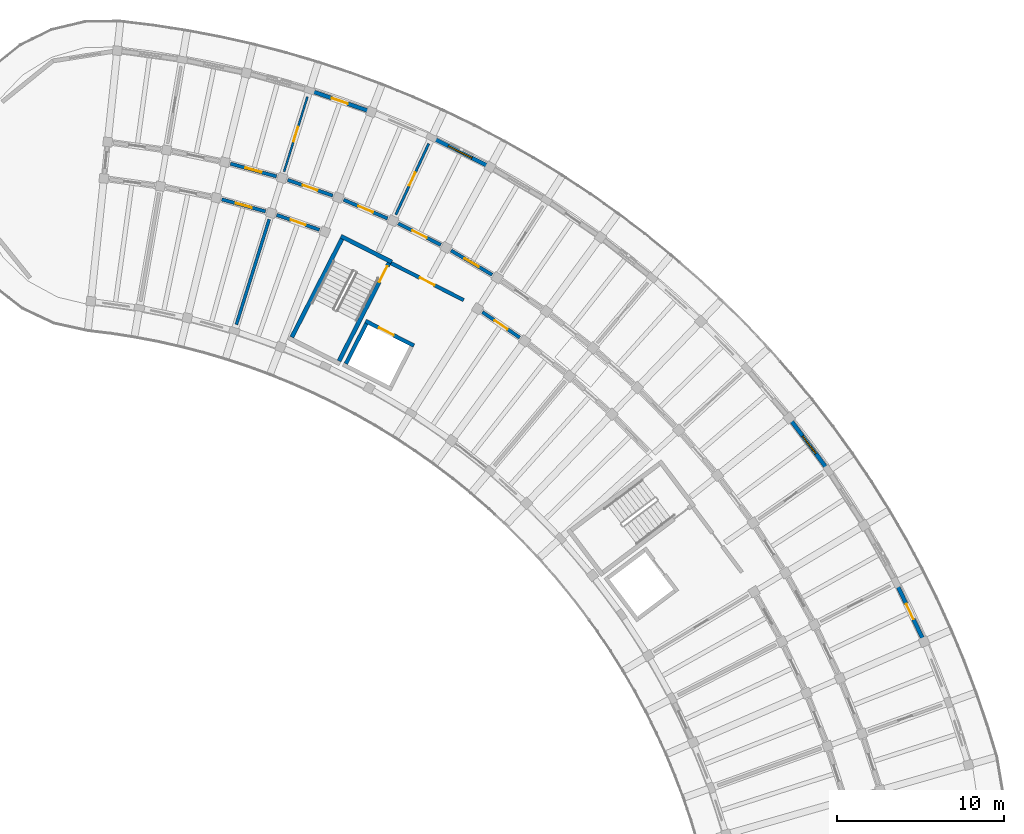
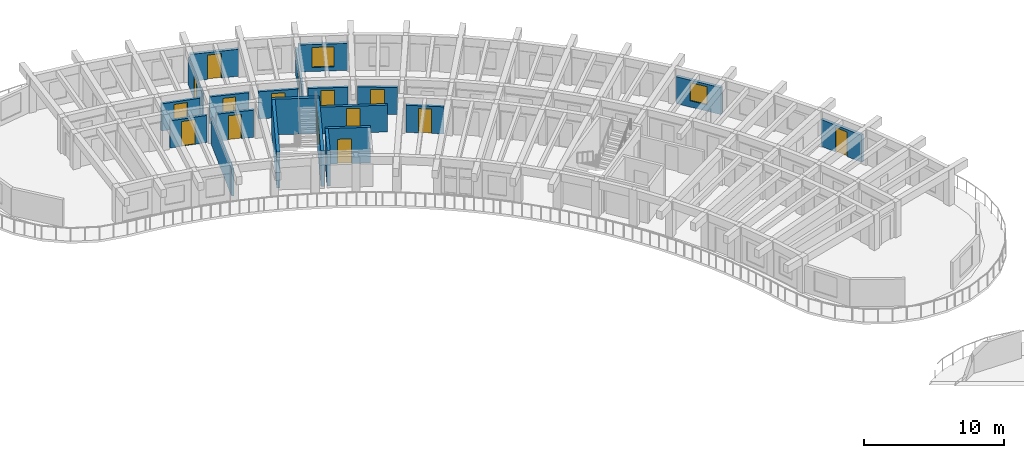
# One storey, part 45 of 69: 21 walls, 15 doors, 2 windows, 17 openings.
"""IFC4 building model written with IfcOpenShell, lengths in metres."""

from ifc_helpers import new_model, si_unit, direction, frame, frame_2d, origin, place, context, subcontext, project, spatial, rectangle, extrude, material, layer, layer_set, type_object, element, fill, save


model = new_model("IFC4")

# Units and contexts
model_context = context("Model", 3, precision=1e-05, world=origin(), true_north=direction((0.0, 1.0)))
body_context = subcontext(model_context, "Body", "Model", "MODEL_VIEW")
ifc_project = project(units=[si_unit("LENGTHUNIT", "METRE"), si_unit("AREAUNIT", "SQUARE_METRE"), si_unit("VOLUMEUNIT", "CUBIC_METRE"), si_unit("PLANEANGLEUNIT", "RADIAN"), si_unit("MASSUNIT", "GRAM", prefix="KILO")], contexts=[model_context])

# Site, building, storey
site_placement = place(None, origin())
site = spatial("IfcSite", under=ifc_project, at=site_placement, CompositionType="ELEMENT")
building_placement = place(site_placement, origin())
building = spatial("IfcBuilding", under=site, at=building_placement, Name="Tanwirah Colonnade Gardens", CompositionType="ELEMENT")
storey_placement = place(building_placement, frame((0.0, 0.0, 15.56005859375)))
storey = spatial("IfcBuildingStorey", under=building, at=storey_placement, Name="L04", CompositionType="ELEMENT", Elevation=15.56005859375)

# Wall, opening, door
ifc_material_1 = material(Name="Limestone architectural precast concrete C40/50", Category="masonry")
ifc_layer_1 = layer(ifc_material_1, 0.239990234375)
ifc_layer_set_1 = layer_set([ifc_layer_1], Name="Limestone architectural precast concrete C40/50")
wall_type_1 = type_object("IfcWallType", Name="EW-PC240", PredefinedType="SOLIDWALL", material=ifc_layer_set_1)
wall_1_placement = place(storey_placement, frame((175.482666015625, 84.2197265625, 0.0), z_axis=(0.0, 0.0, 1.0), x_axis=(-0.429653621352, 0.902993779413, 0.0)))
wall_1 = element("IfcWall", 1, at=wall_1_placement, inside=storey, type_object=wall_type_1, Name="Block B L04 OUT Precast Facade Wall 2", PredefinedType="SOLIDWALL", context=body_context, shape_type="SweptSolid", body=[
    extrude(rectangle(XDim=3.520751953125, YDim=0.239990234375, at=frame_2d((1.76025390625, 0.0))), origin(), (0.0, 0.0, 1.0), 2.35498046875),
])
opening_1_placement = place(wall_1_placement, frame((1.25048828125, 0.0, 0.0)))
opening_1 = element("IfcOpeningElement", 2, at=opening_1_placement, cuts=wall_1, Name="Opening L04-ED084", PredefinedType="OPENING", context=body_context, shape_type="SweptSolid", body=[
    extrude(rectangle(XDim=1.02001953125, YDim=2.139892578125, at=frame_2d((0.510009765625, 1.06982421875))), frame((0.0, 0.1298828125, 0.0), z_axis=(0.0, -1.0, 0.0), x_axis=(1.0, 0.0, 0.0)), (0.0, 0.0, 1.0), 0.260009765625),
])
ifc_material_2 = material(Name="Bronze aluminium glazed balcony door", Category="aluminium")
door_type_1 = type_object("IfcDoorType", Name="ED-BAL102", OperationType="NOTDEFINED", PredefinedType="DOOR", material=ifc_material_2)
door_1_placement = place(opening_1_placement, origin())
door_1 = element("IfcDoor", 3, at=door_1_placement, inside=storey, type_object=door_type_1, Name="Balcony glazed door L04-ED084", OperationType="SINGLE_SWING_LEFT", OverallHeight=2.139892578125, OverallWidth=1.02001953125, PredefinedType="DOOR", context=body_context, shape_type="SweptSolid", body=[
    extrude(rectangle(XDim=1.02001953125, YDim=2.139892578125, at=frame_2d((0.510009765625, 1.06982421875))), frame((0.0, 0.02490234375, 0.0), z_axis=(0.0, -1.0, 0.0), x_axis=(1.0, 0.0, 0.0)), (0.0, 0.0, 1.0), 0.050048828125),
])
fill(opening_1, door_1)

# Wall, opening, window
wall_2_placement = place(storey_placement, frame((169.7509765625, 94.389892578125, 0.0), z_axis=(0.0, 0.0, 1.0), x_axis=(-0.598701122926, 0.800972512267, 0.0)))
wall_2 = element("IfcWall", 4, at=wall_2_placement, inside=storey, type_object=wall_type_1, Name="Block B L04 OUT Precast Facade Wall 5", PredefinedType="SOLIDWALL", context=body_context, shape_type="SweptSolid", body=[
    extrude(rectangle(XDim=3.520751953125, YDim=0.239990234375, at=frame_2d((1.76025390625, 0.0))), origin(), (0.0, 0.0, 1.0), 2.35498046875),
])
opening_2_placement = place(wall_2_placement, frame((1.100341796875, 0.0, 0.550048828125)))
opening_2 = element("IfcOpeningElement", 5, at=opening_2_placement, cuts=wall_2, Name="Opening WIN-U05", PredefinedType="OPENING", context=body_context, shape_type="SweptSolid", body=[
    extrude(rectangle(XDim=1.320068359375, YDim=1.5849609375, at=frame_2d((0.66015625, 0.79248046875))), frame((0.0, 0.1298828125, 0.0), z_axis=(0.0, -1.0, 0.0), x_axis=(1.0, 0.0, 0.0)), (0.0, 0.0, 1.0), 0.260009765625),
])
ifc_material_3 = material(Name="Thermally broken bronze aluminium and solar low-E double glazing", Category="aluminium")
window_type_1 = type_object("IfcWindowType", Name="WIN-U05", PartitioningType="DOUBLE_PANEL_VERTICAL", PredefinedType="WINDOW", material=ifc_material_3)
window_1_placement = place(opening_2_placement, origin())
window_1 = element("IfcWindow", 6, at=window_1_placement, inside=storey, type_object=window_type_1, Name="Facade window B-L04-OUT-05", OverallHeight=1.5849609375, OverallWidth=1.320068359375, PartitioningType="SINGLE_PANEL", PredefinedType="WINDOW", context=body_context, shape_type="SweptSolid", body=[
    extrude(rectangle(XDim=1.320068359375, YDim=1.5849609375, at=frame_2d((0.66015625, 0.79248046875))), frame((0.0, 0.030029296875, 0.0), z_axis=(0.0, -1.0, 0.0), x_axis=(1.0, 0.0, 0.0)), (0.0, 0.0, 1.0), 0.06005859375),
])
fill(opening_2, window_1)

wall_3_placement = place(storey_placement, frame((149.34814453125, 112.56103515625, 0.0), z_axis=(0.0, 0.0, 1.0), x_axis=(-0.892756700232, 0.450539092855, 0.0)))
wall_3 = element("IfcWall", 7, at=wall_3_placement, inside=storey, type_object=wall_type_1, Name="Block B L04 OUT Precast Facade Wall 12", PredefinedType="SOLIDWALL", context=body_context, shape_type="SweptSolid", body=[
    extrude(rectangle(XDim=3.520751953125, YDim=0.239990234375, at=frame_2d((1.76025390625, 0.0))), origin(), (0.0, 0.0, 1.0), 2.35498046875),
])
opening_3_placement = place(wall_3_placement, frame((0.960205078125, 0.0, 0.35009765625)))
opening_3 = element("IfcOpeningElement", 8, at=opening_3_placement, cuts=wall_3, Name="Opening WIN-T10", PredefinedType="OPENING", context=body_context, shape_type="SweptSolid", body=[
    extrude(rectangle(XDim=1.60009765625, YDim=1.75, at=frame_2d((0.800048828125, 0.875))), frame((0.0, 0.1298828125, 0.0), z_axis=(0.0, -1.0, 0.0), x_axis=(1.0, 0.0, 0.0)), (0.0, 0.0, 1.0), 0.260009765625),
])
window_type_2 = type_object("IfcWindowType", Name="WIN-T10", PartitioningType="DOUBLE_PANEL_VERTICAL", PredefinedType="WINDOW", material=ifc_material_3)
window_2_placement = place(opening_3_placement, origin())
window_2 = element("IfcWindow", 9, at=window_2_placement, inside=storey, type_object=window_type_2, Name="Facade window B-L04-OUT-12", OverallHeight=1.75, OverallWidth=1.60009765625, PartitioningType="SINGLE_PANEL", PredefinedType="WINDOW", context=body_context, shape_type="SweptSolid", body=[
    extrude(rectangle(XDim=1.60009765625, YDim=1.75, at=frame_2d((0.800048828125, 0.875))), frame((0.0, 0.030029296875, 0.0), z_axis=(0.0, -1.0, 0.0), x_axis=(1.0, 0.0, 0.0)), (0.0, 0.0, 1.0), 0.06005859375),
])
fill(opening_3, window_2)

# Wall, opening, door
wall_4_placement = place(storey_placement, frame((142.21728515625, 115.833984375, 0.0), z_axis=(0.0, 0.0, 1.0), x_axis=(-0.944267366677, 0.329179495455, 0.0)))
wall_4 = element("IfcWall", 10, at=wall_4_placement, inside=storey, type_object=wall_type_1, Name="Block B L04 OUT Precast Facade Wall 14", PredefinedType="SOLIDWALL", context=body_context, shape_type="SweptSolid", body=[
    extrude(rectangle(XDim=3.520751953125, YDim=0.239990234375, at=frame_2d((1.76025390625, 0.0))), origin(), (0.0, 0.0, 1.0), 2.35498046875),
])
opening_4_placement = place(wall_4_placement, frame((1.25048828125, 0.0, 0.0)))
opening_4 = element("IfcOpeningElement", 11, at=opening_4_placement, cuts=wall_4, Name="Opening L04-ED088", PredefinedType="OPENING", context=body_context, shape_type="SweptSolid", body=[
    extrude(rectangle(XDim=1.02001953125, YDim=2.139892578125, at=frame_2d((0.510009765625, 1.06982421875))), frame((0.0, 0.1298828125, 0.0), z_axis=(0.0, -1.0, 0.0), x_axis=(1.0, 0.0, 0.0)), (0.0, 0.0, 1.0), 0.260009765625),
])
door_2_placement = place(opening_4_placement, origin())
door_2 = element("IfcDoor", 12, at=door_2_placement, inside=storey, type_object=door_type_1, Name="Balcony glazed door L04-ED088", OperationType="SINGLE_SWING_LEFT", OverallHeight=2.139892578125, OverallWidth=1.02001953125, PredefinedType="DOOR", context=body_context, shape_type="SweptSolid", body=[
    extrude(rectangle(XDim=1.02001953125, YDim=2.139892578125, at=frame_2d((0.510009765625, 1.06982421875))), frame((0.0, 0.02490234375, 0.0), z_axis=(0.0, -1.0, 0.0), x_axis=(1.0, 0.0, 0.0)), (0.0, 0.0, 1.0), 0.050048828125),
])
fill(opening_4, door_2)

ifc_material_4 = material(Name="Precast concrete C40/50", Category="concrete")
ifc_layer_2 = layer(ifc_material_4, 0.205078125)
ifc_layer_set_2 = layer_set([ifc_layer_2], Name="Precast concrete C40/50")
wall_type_2 = type_object("IfcWallType", Name="IW-CORR205", PredefinedType="PARTITIONING", material=ifc_layer_set_2)
wall_5_placement = place(storey_placement, frame((151.35009765625, 102.226318359375, 0.0), z_axis=(0.0, 0.0, 1.0), x_axis=(-0.825752009056, 0.56403334967, 0.0)))
wall_5 = element("IfcWall", 13, at=wall_5_placement, inside=storey, type_object=wall_type_2, Name="Block B L04 IN Corridor Wall 10", PredefinedType="PARTITIONING", context=body_context, shape_type="SweptSolid", body=[
    extrude(rectangle(XDim=2.71826171875, YDim=0.205078125, at=frame_2d((1.359130859375, 0.0))), origin(), (0.0, 0.0, 1.0), 2.369873046875),
])
opening_5_placement = place(wall_5_placement, frame((0.89404296875, 0.0, 0.0)))
opening_5 = element("IfcOpeningElement", 14, at=opening_5_placement, cuts=wall_5, Name="Opening L04-AD984", PredefinedType="OPENING", context=body_context, shape_type="SweptSolid", body=[
    extrude(rectangle(XDim=0.929931640625, YDim=2.1201171875, at=frame_2d((0.46484375, 1.06005859375))), frame((0.0, 0.112548828125, 0.0), z_axis=(0.0, -1.0, 0.0), x_axis=(1.0, 0.0, 0.0)), (0.0, 0.0, 1.0), 0.22509765625),
])
ifc_material_5 = material(Name="Solid oak fire-resisting apartment entrance door")
door_type_2 = type_object("IfcDoorType", Name="ID-FLT093", OperationType="NOTDEFINED", PredefinedType="DOOR", material=ifc_material_5)
door_3_placement = place(opening_5_placement, origin())
door_3 = element("IfcDoor", 15, at=door_3_placement, inside=storey, type_object=door_type_2, Name="Apartment corridor door L04-AD984", OperationType="SINGLE_SWING_RIGHT", OverallHeight=2.1201171875, OverallWidth=0.929931640625, PredefinedType="DOOR", context=body_context, shape_type="SweptSolid", body=[
    extrude(rectangle(XDim=0.929931640625, YDim=2.1201171875, at=frame_2d((0.46484375, 1.06005859375))), frame((0.0, 0.02490234375, 0.0), z_axis=(0.0, -1.0, 0.0), x_axis=(1.0, 0.0, 0.0)), (0.0, 0.0, 1.0), 0.050048828125),
])
fill(opening_5, door_3)

wall_6_placement = place(storey_placement, frame((149.6953125, 105.991455078125, 0.0), z_axis=(0.0, 0.0, 1.0), x_axis=(-0.861113214678, 0.508413248753, 0.0)))
wall_6 = element("IfcWall", 16, at=wall_6_placement, inside=storey, type_object=wall_type_2, Name="Block B L04 OUT Corridor Wall 11", PredefinedType="PARTITIONING", context=body_context, shape_type="SweptSolid", body=[
    extrude(rectangle(XDim=2.863037109375, YDim=0.205078125, at=frame_2d((1.431640625, 0.0))), origin(), (0.0, 0.0, 1.0), 2.369873046875),
])
opening_6_placement = place(wall_6_placement, frame((0.9365234375, 0.0, 0.0)))
opening_6 = element("IfcOpeningElement", 17, at=opening_6_placement, cuts=wall_6, Name="Opening L04-AD986", PredefinedType="OPENING", context=body_context, shape_type="SweptSolid", body=[
    extrude(rectangle(XDim=0.989990234375, YDim=2.159912109375, at=frame_2d((0.4951171875, 1.080078125))), frame((0.0, 0.112548828125, 0.0), z_axis=(0.0, -1.0, 0.0), x_axis=(1.0, 0.0, 0.0)), (0.0, 0.0, 1.0), 0.22509765625),
])
door_type_3 = type_object("IfcDoorType", Name="ID-FLT099", OperationType="NOTDEFINED", PredefinedType="DOOR", material=ifc_material_5)
door_4_placement = place(opening_6_placement, origin())
door_4 = element("IfcDoor", 18, at=door_4_placement, inside=storey, type_object=door_type_3, Name="Apartment corridor door L04-AD986", OperationType="SINGLE_SWING_RIGHT", OverallHeight=2.159912109375, OverallWidth=0.989990234375, PredefinedType="DOOR", context=body_context, shape_type="SweptSolid", body=[
    extrude(rectangle(XDim=0.989990234375, YDim=2.159912109375, at=frame_2d((0.4951171875, 1.080078125))), frame((0.0, 0.02490234375, 0.0), z_axis=(0.0, -1.0, 0.0), x_axis=(1.0, 0.0, 0.0)), (0.0, 0.0, 1.0), 0.050048828125),
])
fill(opening_6, door_4)

wall_7_placement = place(storey_placement, frame((146.615966796875, 107.782470703125, 0.0), z_axis=(0.0, 0.0, 1.0), x_axis=(-0.89273239336, 0.450587254419, 0.0)))
wall_7 = element("IfcWall", 19, at=wall_7_placement, inside=storey, type_object=wall_type_2, Name="Block B L04 OUT Corridor Wall 12", PredefinedType="PARTITIONING", context=body_context, shape_type="SweptSolid", body=[
    extrude(rectangle(XDim=2.863037109375, YDim=0.205078125, at=frame_2d((1.431640625, 0.0))), origin(), (0.0, 0.0, 1.0), 2.369873046875),
])
opening_7_placement = place(wall_7_placement, frame((0.946533203125, 0.0, 0.0)))
opening_7 = element("IfcOpeningElement", 20, at=opening_7_placement, cuts=wall_7, Name="Opening L04-AD987", PredefinedType="OPENING", context=body_context, shape_type="SweptSolid", body=[
    extrude(rectangle(XDim=0.969970703125, YDim=2.14990234375, at=frame_2d((0.48486328125, 1.074951171875))), frame((0.0, 0.112548828125, 0.0), z_axis=(0.0, -1.0, 0.0), x_axis=(1.0, 0.0, 0.0)), (0.0, 0.0, 1.0), 0.22509765625),
])
door_type_4 = type_object("IfcDoorType", Name="ID-FLT097", OperationType="NOTDEFINED", PredefinedType="DOOR", material=ifc_material_5)
door_5_placement = place(opening_7_placement, origin())
door_5 = element("IfcDoor", 21, at=door_5_placement, inside=storey, type_object=door_type_4, Name="Apartment corridor door L04-AD987", OperationType="SINGLE_SWING_LEFT", OverallHeight=2.14990234375, OverallWidth=0.969970703125, PredefinedType="DOOR", context=body_context, shape_type="SweptSolid", body=[
    extrude(rectangle(XDim=0.969970703125, YDim=2.14990234375, at=frame_2d((0.48486328125, 1.074951171875))), frame((0.0, 0.02490234375, 0.0), z_axis=(0.0, -1.0, 0.0), x_axis=(1.0, 0.0, 0.0)), (0.0, 0.0, 1.0), 0.050048828125),
])
fill(opening_7, door_5)

wall_8_placement = place(storey_placement, frame((143.42529296875, 109.366943359375, 0.0), z_axis=(0.0, 0.0, 1.0), x_axis=(-0.920511160294, 0.390716270168, 0.0)))
wall_8 = element("IfcWall", 22, at=wall_8_placement, inside=storey, type_object=wall_type_2, Name="Block B L04 OUT Corridor Wall 13", PredefinedType="PARTITIONING", context=body_context, shape_type="SweptSolid", body=[
    extrude(rectangle(XDim=2.863037109375, YDim=0.205078125, at=frame_2d((1.431640625, 0.0))), origin(), (0.0, 0.0, 1.0), 2.369873046875),
])
opening_8_placement = place(wall_8_placement, frame((0.95654296875, 0.0, 0.0)))
opening_8 = element("IfcOpeningElement", 23, at=opening_8_placement, cuts=wall_8, Name="Opening L04-AD989", PredefinedType="OPENING", context=body_context, shape_type="SweptSolid", body=[
    extrude(rectangle(XDim=0.949951171875, YDim=2.1298828125, at=frame_2d((0.47509765625, 1.06494140625))), frame((0.0, 0.112548828125, 0.0), z_axis=(0.0, -1.0, 0.0), x_axis=(1.0, 0.0, 0.0)), (0.0, 0.0, 1.0), 0.22509765625),
])
door_type_5 = type_object("IfcDoorType", Name="ID-FLT095", OperationType="NOTDEFINED", PredefinedType="DOOR", material=ifc_material_5)
door_6_placement = place(opening_8_placement, origin())
door_6 = element("IfcDoor", 24, at=door_6_placement, inside=storey, type_object=door_type_5, Name="Apartment corridor door L04-AD989", OperationType="SINGLE_SWING_RIGHT", OverallHeight=2.1298828125, OverallWidth=0.949951171875, PredefinedType="DOOR", context=body_context, shape_type="SweptSolid", body=[
    extrude(rectangle(XDim=0.949951171875, YDim=2.1298828125, at=frame_2d((0.47509765625, 1.06494140625))), frame((0.0, 0.02490234375, 0.0), z_axis=(0.0, -1.0, 0.0), x_axis=(1.0, 0.0, 0.0)), (0.0, 0.0, 1.0), 0.050048828125),
])
fill(opening_8, door_6)

wall_9_placement = place(storey_placement, frame((140.13720703125, 110.737548828125, 0.0), z_axis=(0.0, 0.0, 1.0), x_axis=(-0.944253820929, 0.329218349522, 0.0)))
wall_9 = element("IfcWall", 25, at=wall_9_placement, inside=storey, type_object=wall_type_2, Name="Block B L04 OUT Corridor Wall 14", PredefinedType="PARTITIONING", context=body_context, shape_type="SweptSolid", body=[
    extrude(rectangle(XDim=2.86328125, YDim=0.205078125, at=frame_2d((1.431640625, 0.0))), origin(), (0.0, 0.0, 1.0), 2.369873046875),
])
opening_9_placement = place(wall_9_placement, frame((0.966552734375, 0.0, 0.0)))
opening_9 = element("IfcOpeningElement", 26, at=opening_9_placement, cuts=wall_9, Name="Opening L04-AD990", PredefinedType="OPENING", context=body_context, shape_type="SweptSolid", body=[
    extrude(rectangle(XDim=0.929931640625, YDim=2.1201171875, at=frame_2d((0.46484375, 1.06005859375))), frame((0.0, 0.112548828125, 0.0), z_axis=(0.0, -1.0, 0.0), x_axis=(1.0, 0.0, 0.0)), (0.0, 0.0, 1.0), 0.22509765625),
])
door_7_placement = place(opening_9_placement, origin())
door_7 = element("IfcDoor", 27, at=door_7_placement, inside=storey, type_object=door_type_2, Name="Apartment corridor door L04-AD990", OperationType="SINGLE_SWING_LEFT", OverallHeight=2.1201171875, OverallWidth=0.929931640625, PredefinedType="DOOR", context=body_context, shape_type="SweptSolid", body=[
    extrude(rectangle(XDim=0.929931640625, YDim=2.1201171875, at=frame_2d((0.46484375, 1.06005859375))), frame((0.0, 0.02490234375, 0.0), z_axis=(0.0, -1.0, 0.0), x_axis=(1.0, 0.0, 0.0)), (0.0, 0.0, 1.0), 0.050048828125),
])
fill(opening_9, door_7)

wall_10_placement = place(storey_placement, frame((139.3447265625, 108.685302734375, 0.0), z_axis=(0.0, 0.0, 1.0), x_axis=(-0.944265123647, 0.329185929627, 0.0)))
wall_10 = element("IfcWall", 28, at=wall_10_placement, inside=storey, type_object=wall_type_2, Name="Block B L04 IN Corridor Wall 14", PredefinedType="PARTITIONING", context=body_context, shape_type="SweptSolid", body=[
    extrude(rectangle(XDim=2.71826171875, YDim=0.205078125, at=frame_2d((1.359130859375, 0.0))), origin(), (0.0, 0.0, 1.0), 2.369873046875),
])
opening_10_placement = place(wall_10_placement, frame((0.89404296875, 0.0, 0.0)))
opening_10 = element("IfcOpeningElement", 29, at=opening_10_placement, cuts=wall_10, Name="Opening L04-AD991", PredefinedType="OPENING", context=body_context, shape_type="SweptSolid", body=[
    extrude(rectangle(XDim=0.929931640625, YDim=2.1201171875, at=frame_2d((0.46484375, 1.06005859375))), frame((0.0, 0.112548828125, 0.0), z_axis=(0.0, -1.0, 0.0), x_axis=(1.0, 0.0, 0.0)), (0.0, 0.0, 1.0), 0.22509765625),
])
door_8_placement = place(opening_10_placement, origin())
door_8 = element("IfcDoor", 30, at=door_8_placement, inside=storey, type_object=door_type_2, Name="Apartment corridor door L04-AD991", OperationType="SINGLE_SWING_RIGHT", OverallHeight=2.1201171875, OverallWidth=0.929931640625, PredefinedType="DOOR", context=body_context, shape_type="SweptSolid", body=[
    extrude(rectangle(XDim=0.929931640625, YDim=2.1201171875, at=frame_2d((0.46484375, 1.06005859375))), frame((0.0, 0.02490234375, 0.0), z_axis=(0.0, -1.0, 0.0), x_axis=(1.0, 0.0, 0.0)), (0.0, 0.0, 1.0), 0.050048828125),
])
fill(opening_10, door_8)

wall_11_placement = place(storey_placement, frame((136.765869140625, 111.888671875, 0.0), z_axis=(0.0, 0.0, 1.0), x_axis=(-0.963890789093, 0.266297853356, 0.0)))
wall_11 = element("IfcWall", 31, at=wall_11_placement, inside=storey, type_object=wall_type_2, Name="Block B L04 OUT Corridor Wall 15", PredefinedType="PARTITIONING", context=body_context, shape_type="SweptSolid", body=[
    extrude(rectangle(XDim=2.863037109375, YDim=0.205078125, at=frame_2d((1.431640625, 0.0))), origin(), (0.0, 0.0, 1.0), 2.369873046875),
])
opening_11_placement = place(wall_11_placement, frame((0.9365234375, 0.0, 0.0)))
opening_11 = element("IfcOpeningElement", 32, at=opening_11_placement, cuts=wall_11, Name="Opening L04-AD993", PredefinedType="OPENING", context=body_context, shape_type="SweptSolid", body=[
    extrude(rectangle(XDim=0.989990234375, YDim=2.159912109375, at=frame_2d((0.4951171875, 1.080078125))), frame((0.0, 0.112548828125, 0.0), z_axis=(0.0, -1.0, 0.0), x_axis=(1.0, 0.0, 0.0)), (0.0, 0.0, 1.0), 0.22509765625),
])
door_9_placement = place(opening_11_placement, origin())
door_9 = element("IfcDoor", 33, at=door_9_placement, inside=storey, type_object=door_type_3, Name="Apartment corridor door L04-AD993", OperationType="SINGLE_SWING_RIGHT", OverallHeight=2.159912109375, OverallWidth=0.989990234375, PredefinedType="DOOR", context=body_context, shape_type="SweptSolid", body=[
    extrude(rectangle(XDim=0.989990234375, YDim=2.159912109375, at=frame_2d((0.4951171875, 1.080078125))), frame((0.0, 0.02490234375, 0.0), z_axis=(0.0, -1.0, 0.0), x_axis=(1.0, 0.0, 0.0)), (0.0, 0.0, 1.0), 0.050048828125),
])
fill(opening_11, door_9)

wall_12_placement = place(storey_placement, frame((136.1103515625, 109.78857421875, 0.0), z_axis=(0.0, 0.0, 1.0), x_axis=(-0.96388375821, 0.266323301006, 0.0)))
wall_12 = element("IfcWall", 34, at=wall_12_placement, inside=storey, type_object=wall_type_2, Name="Block B L04 IN Corridor Wall 15", PredefinedType="PARTITIONING", context=body_context, shape_type="SweptSolid", body=[
    extrude(rectangle(XDim=2.718017578125, YDim=0.205078125, at=frame_2d((1.35888671875, 0.0))), origin(), (0.0, 0.0, 1.0), 2.369873046875),
])
opening_12_placement = place(wall_12_placement, frame((0.864013671875, 0.0, 0.0)))
opening_12 = element("IfcOpeningElement", 35, at=opening_12_placement, cuts=wall_12, Name="Opening L04-AD994", PredefinedType="OPENING", context=body_context, shape_type="SweptSolid", body=[
    extrude(rectangle(XDim=0.989990234375, YDim=2.159912109375, at=frame_2d((0.4951171875, 1.080078125))), frame((0.0, 0.112548828125, 0.0), z_axis=(0.0, -1.0, 0.0), x_axis=(1.0, 0.0, 0.0)), (0.0, 0.0, 1.0), 0.22509765625),
])
door_10_placement = place(opening_12_placement, origin())
door_10 = element("IfcDoor", 36, at=door_10_placement, inside=storey, type_object=door_type_3, Name="Apartment corridor door L04-AD994", OperationType="SINGLE_SWING_LEFT", OverallHeight=2.159912109375, OverallWidth=0.989990234375, PredefinedType="DOOR", context=body_context, shape_type="SweptSolid", body=[
    extrude(rectangle(XDim=0.989990234375, YDim=2.159912109375, at=frame_2d((0.4951171875, 1.080078125))), frame((0.0, 0.02490234375, 0.0), z_axis=(0.0, -1.0, 0.0), x_axis=(1.0, 0.0, 0.0)), (0.0, 0.0, 1.0), 0.050048828125),
])
fill(opening_12, door_10)

# Wall
ifc_layer_3 = layer(ifc_material_4, 0.18505859375)
ifc_layer_set_3 = layer_set([ifc_layer_3], Name="Precast concrete C40/50")
wall_type_3 = type_object("IfcWallType", Name="IW-DEM185", PredefinedType="PARTITIONING", material=ifc_layer_set_3)
wall_13_placement = place(storey_placement, frame((134.362060546875, 103.01318359375, 0.0), z_axis=(0.0, 0.0, 1.0), x_axis=(0.2979590431, 0.954578655028, 0.0)))
element("IfcWall", 37, at=wall_13_placement, inside=storey, type_object=wall_type_3, Name="Block B L04 Inner Radial Partition 14", PredefinedType="PARTITIONING", context=body_context, shape_type="SweptSolid", body=[
    extrude(rectangle(XDim=6.60009765625, YDim=0.18505859375, at=frame_2d((3.300048828125, 0.0))), origin(), (0.0, 0.0, 1.0), 2.369873046875),
])

# Wall, opening, door
ifc_material_6 = material(Name="Autoclaved aerated masonry blockwork", Category="masonry")
ifc_layer_4 = layer(ifc_material_6, 0.219970703125)
ifc_layer_set_4 = layer_set([ifc_layer_4], Name="Autoclaved aerated masonry blockwork")
wall_type_4 = type_object("IfcWallType", Name="IW-FFL220", PredefinedType="PARTITIONING", material=ifc_layer_set_4)
wall_14_placement = place(storey_placement, frame((143.624755859375, 106.6962890625, 0.0), z_axis=(0.0, 0.0, 1.0), x_axis=(0.891003372311, -0.453996685595, 0.0)))
wall_14 = element("IfcWall", 38, at=wall_14_placement, inside=storey, type_object=wall_type_4, Name="CORE-B2 L04 Enclosed Lobby Fire Wall", PredefinedType="PARTITIONING", context=body_context, shape_type="SweptSolid", body=[
    extrude(rectangle(XDim=4.900146484375, YDim=0.219970703125, at=frame_2d((2.4501953125, 0.0))), origin(), (0.0, 0.0, 1.0), 2.33984375),
])
opening_13_placement = place(wall_14_placement, frame((1.949951171875, 0.0, 0.0)))
opening_13 = element("IfcOpeningElement", 39, at=opening_13_placement, cuts=wall_14, Name="Opening L04-LD112", PredefinedType="OPENING", context=body_context, shape_type="SweptSolid", body=[
    extrude(rectangle(XDim=0.97998046875, YDim=2.139892578125, at=frame_2d((0.489990234375, 1.06982421875))), frame((0.0, 0.119873046875, 0.0), z_axis=(0.0, -1.0, 0.0), x_axis=(1.0, 0.0, 0.0)), (0.0, 0.0, 1.0), 0.239990234375),
])
ifc_material_7 = material(Name="Acoustic fire-resisting lobby door")
door_type_6 = type_object("IfcDoorType", Name="ID-FFL098", OperationType="NOTDEFINED", PredefinedType="DOOR", material=ifc_material_7)
door_11_placement = place(opening_13_placement, origin())
door_11 = element("IfcDoor", 40, at=door_11_placement, inside=storey, type_object=door_type_6, Name="CORE-B2 L04 Lobby Fire Door L04-LD112", OperationType="SINGLE_SWING_LEFT", OverallHeight=2.139892578125, OverallWidth=0.97998046875, PredefinedType="DOOR", context=body_context, shape_type="SweptSolid", body=[
    extrude(rectangle(XDim=0.97998046875, YDim=2.139892578125, at=frame_2d((0.489990234375, 1.06982421875))), frame((0.0, 0.02490234375, 0.0), z_axis=(0.0, -1.0, 0.0), x_axis=(1.0, 0.0, 0.0)), (0.0, 0.0, 1.0), 0.050048828125),
])
fill(opening_13, door_11)

ifc_material_8 = material(Name="Moisture-resistant gypsum stud partition")
ifc_layer_5 = layer(ifc_material_8, 0.125)
ifc_layer_set_5 = layer_set([ifc_layer_5], Name="Moisture-resistant gypsum stud partition")
wall_type_5 = type_object("IfcWallType", Name="IW-INT125", PredefinedType="PARTITIONING", material=ifc_layer_set_5)
wall_15_placement = place(storey_placement, frame((137.222412109375, 112.17724609375, 0.0), z_axis=(0.0, 0.0, 1.0), x_axis=(0.297905254614, 0.954595442726, 0.0)))
wall_15 = element("IfcWall", 41, at=wall_15_placement, inside=storey, type_object=wall_type_5, Name="Block B L04 Radial Partition 14", PredefinedType="PARTITIONING", context=body_context, shape_type="SweptSolid", body=[
    extrude(rectangle(XDim=4.699951171875, YDim=0.125, at=frame_2d((2.35009765625, 0.0))), origin(), (0.0, 0.0, 1.0), 2.369873046875),
])
opening_14_placement = place(wall_15_placement, frame((1.89501953125, 0.0, 0.0)))
opening_14 = element("IfcOpeningElement", 42, at=opening_14_placement, cuts=wall_15, Name="Opening L04-RD992", PredefinedType="OPENING", context=body_context, shape_type="SweptSolid", body=[
    extrude(rectangle(XDim=0.909912109375, YDim=2.10009765625, at=frame_2d((0.455078125, 1.050048828125))), frame((0.0, 0.072509765625, 0.0), z_axis=(0.0, -1.0, 0.0), x_axis=(1.0, 0.0, 0.0)), (0.0, 0.0, 1.0), 0.14501953125),
])
ifc_material_9 = material(Name="Painted hardwood internal room door", Category="wood")
door_type_7 = type_object("IfcDoorType", Name="ID-RM091", OperationType="NOTDEFINED", PredefinedType="DOOR", material=ifc_material_9)
door_12_placement = place(opening_14_placement, origin())
door_12 = element("IfcDoor", 43, at=door_12_placement, inside=storey, type_object=door_type_7, Name="Internal apartment door L04-RD992", OperationType="SINGLE_SWING_LEFT", OverallHeight=2.10009765625, OverallWidth=0.909912109375, PredefinedType="DOOR", context=body_context, shape_type="SweptSolid", body=[
    extrude(rectangle(XDim=0.909912109375, YDim=2.10009765625, at=frame_2d((0.455078125, 1.050048828125))), frame((0.0, 0.02490234375, 0.0), z_axis=(0.0, -1.0, 0.0), x_axis=(1.0, 0.0, 0.0)), (0.0, 0.0, 1.0), 0.050048828125),
])
fill(opening_14, door_12)

ifc_material_10 = material(Name="Water-resistant acoustic plumbing partition")
ifc_layer_6 = layer(ifc_material_10, 0.14990234375)
ifc_layer_set_6 = layer_set([ifc_layer_6], Name="Water-resistant acoustic plumbing partition")
wall_type_6 = type_object("IfcWallType", Name="IW-WET150", PredefinedType="PLUMBINGWALL", material=ifc_layer_set_6)
wall_16_placement = place(storey_placement, frame((143.915771484375, 109.593017578125, 0.0), z_axis=(0.0, 0.0, 1.0), x_axis=(0.420862519045, 0.907124434718, 0.0)))
wall_16 = element("IfcWall", 44, at=wall_16_placement, inside=storey, type_object=wall_type_6, Name="Block B L04 Radial Partition 12", PredefinedType="PLUMBINGWALL", context=body_context, shape_type="SweptSolid", body=[
    extrude(rectangle(XDim=4.699951171875, YDim=0.14990234375, at=frame_2d((2.35009765625, 0.0))), origin(), (0.0, 0.0, 1.0), 2.369873046875),
])
opening_15_placement = place(wall_16_placement, frame((1.919921875, 0.0, 0.0)))
opening_15 = element("IfcOpeningElement", 45, at=opening_15_placement, cuts=wall_16, Name="Opening L04-RD988", PredefinedType="OPENING", context=body_context, shape_type="SweptSolid", body=[
    extrude(rectangle(XDim=0.860107421875, YDim=2.06005859375, at=frame_2d((0.43017578125, 1.030029296875))), frame((0.0, 0.0849609375, 0.0), z_axis=(0.0, -1.0, 0.0), x_axis=(1.0, 0.0, 0.0)), (0.0, 0.0, 1.0), 0.169921875),
])
ifc_material_11 = material(Name="Moisture-resistant bathroom door")
door_type_8 = type_object("IfcDoorType", Name="ID-WET086", OperationType="NOTDEFINED", PredefinedType="DOOR", material=ifc_material_11)
door_13_placement = place(opening_15_placement, origin())
door_13 = element("IfcDoor", 46, at=door_13_placement, inside=storey, type_object=door_type_8, Name="Internal apartment door L04-RD988", OperationType="SINGLE_SWING_LEFT", OverallHeight=2.06005859375, OverallWidth=0.860107421875, PredefinedType="DOOR", context=body_context, shape_type="SweptSolid", body=[
    extrude(rectangle(XDim=0.860107421875, YDim=2.06005859375, at=frame_2d((0.43017578125, 1.030029296875))), frame((0.0, 0.02490234375, 0.0), z_axis=(0.0, -1.0, 0.0), x_axis=(1.0, 0.0, 0.0)), (0.0, 0.0, 1.0), 0.050048828125),
])
fill(opening_15, door_13)

# Walls
ifc_material_12 = material(Name="Concrete C45/55", Category="concrete")
ifc_layer_7 = layer(ifc_material_12, 0.25)
ifc_layer_set_7 = layer_set([ifc_layer_7], Name="Concrete C45/55")
wall_type_7 = type_object("IfcWallType", Name="SW-CORE250", PredefinedType="SHEAR", material=ifc_layer_set_7)
wall_17_placement = place(storey_placement, frame((140.68408203125, 108.138671875, 0.0), z_axis=(0.0, 0.0, 1.0), x_axis=(-0.453992276384, -0.891005618941, 0.0)))
element("IfcWall", 47, at=wall_17_placement, inside=storey, type_object=wall_type_7, Name="CORE-B2 L04 Stair Shaft Shear Wall LEFT", PredefinedType="SHEAR", context=body_context, shape_type="SweptSolid", body=[
    extrude(rectangle(XDim=6.599853515625, YDim=0.25, at=frame_2d((3.2998046875, 0.0))), origin(), (0.0, 0.0, 1.0), 3.10986328125),
])
wall_18_placement = place(storey_placement, frame((140.62939453125, 108.306640625, 0.0), z_axis=(0.0, 0.0, 1.0), x_axis=(0.891032414707, -0.453939683153, 0.0)))
element("IfcWall", 48, at=wall_18_placement, inside=storey, type_object=wall_type_7, Name="CORE-B2 L04 Stair Shaft Shear Wall NEAR", PredefinedType="SHEAR", context=body_context, shape_type="SweptSolid", body=[
    extrude(rectangle(XDim=3.419921875, YDim=0.25, at=frame_2d((1.7099609375, 0.0))), origin(), (0.0, 0.0, 1.0), 3.10986328125),
])

# Wall, opening, door
wall_19_placement = place(storey_placement, frame((143.508544921875, 106.699462890625, 0.0), z_axis=(0.0, 0.0, 1.0), x_axis=(-0.453992276384, -0.891005618941, 0.0)))
wall_19 = element("IfcWall", 49, at=wall_19_placement, inside=storey, type_object=wall_type_7, Name="CORE-B2 L04 Stair Shaft Shear Wall RIGHT", PredefinedType="SHEAR", context=body_context, shape_type="SweptSolid", body=[
    extrude(rectangle(XDim=6.599853515625, YDim=0.25, at=frame_2d((3.2998046875, 0.0))), origin(), (0.0, 0.0, 1.0), 3.10986328125),
])
opening_16_placement = place(wall_19_placement, frame((0.219970703125, 0.0, 0.0)))
opening_16 = element("IfcOpeningElement", 50, at=opening_16_placement, cuts=wall_19, Name="Opening L04-SD098", PredefinedType="OPENING", context=body_context, shape_type="SweptSolid", body=[
    extrude(rectangle(XDim=1.050048828125, YDim=2.14990234375, at=frame_2d((0.52490234375, 1.074951171875))), frame((0.0, 0.135009765625, 0.0), z_axis=(0.0, -1.0, 0.0), x_axis=(1.0, 0.0, 0.0)), (0.0, 0.0, 1.0), 0.27001953125),
])
ifc_material_13 = material(Name="Steel fire-resisting stair enclosure door", Category="steel")
door_type_9 = type_object("IfcDoorType", Name="ID-ST105", OperationType="NOTDEFINED", PredefinedType="DOOR", material=ifc_material_13)
door_14_placement = place(opening_16_placement, origin())
door_14 = element("IfcDoor", 51, at=door_14_placement, inside=storey, type_object=door_type_9, Name="CORE-B2 L04 Stair Fire Door L04-SD098", OperationType="SINGLE_SWING_LEFT", OverallHeight=2.14990234375, OverallWidth=1.050048828125, PredefinedType="DOOR", context=body_context, shape_type="SweptSolid", body=[
    extrude(rectangle(XDim=1.050048828125, YDim=2.14990234375, at=frame_2d((0.52490234375, 1.074951171875))), frame((0.0, 0.02490234375, 0.0), z_axis=(0.0, -1.0, 0.0), x_axis=(1.0, 0.0, 0.0)), (0.0, 0.0, 1.0), 0.050048828125),
])
fill(opening_16, door_14)

ifc_layer_8 = layer(ifc_material_12, 0.22998046875)
ifc_layer_set_8 = layer_set([ifc_layer_8], Name="Concrete C45/55")
wall_type_8 = type_object("IfcWallType", Name="SW-LIFT230", PredefinedType="SHEAR", material=ifc_layer_set_8)
wall_20_placement = place(storey_placement, frame((142.1025390625, 103.223876953125, 0.0), z_axis=(0.0, 0.0, 1.0), x_axis=(0.891001200497, -0.454000947921, 0.0)))
wall_20 = element("IfcWall", 52, at=wall_20_placement, inside=storey, type_object=wall_type_8, Name="CORE-B2 L04 Lift Shaft Wall FRONT", PredefinedType="SHEAR", context=body_context, shape_type="SweptSolid", body=[
    extrude(rectangle(XDim=3.259765625, YDim=0.22998046875, at=frame_2d((1.6298828125, 0.0))), origin(), (0.0, 0.0, 1.0), 3.10986328125),
])
opening_17_placement = place(wall_20_placement, frame((0.89990234375, 0.0, 0.0)))
opening_17 = element("IfcOpeningElement", 53, at=opening_17_placement, cuts=wall_20, Name="Opening L04-LD-PL-B2", PredefinedType="OPENING", context=body_context, shape_type="SweptSolid", body=[
    extrude(rectangle(XDim=1.0, YDim=2.14990234375, at=frame_2d((0.5, 1.074951171875))), frame((0.0, 0.125, 0.0), z_axis=(0.0, -1.0, 0.0), x_axis=(1.0, 0.0, 0.0)), (0.0, 0.0, 1.0), 0.25),
])
ifc_material_14 = material(Name="Bronze stainless steel sliding lift landing door", Category="steel")
door_type_10 = type_object("IfcDoorType", Name="LD-PS10", OperationType="DOUBLE_DOOR_SLIDING", PredefinedType="DOOR", material=ifc_material_14)
door_15_placement = place(opening_17_placement, origin())
door_15 = element("IfcDoor", 54, at=door_15_placement, inside=storey, type_object=door_type_10, Name="Lift PL-B2 L04 Sliding Landing Door", OperationType="DOUBLE_DOOR_SLIDING", OverallHeight=2.14990234375, OverallWidth=1.0, PredefinedType="DOOR", context=body_context, shape_type="SweptSolid", body=[
    extrude(rectangle(XDim=1.0, YDim=2.14990234375, at=frame_2d((0.5, 1.074951171875))), frame((0.0, 0.02490234375, 0.0), z_axis=(0.0, -1.0, 0.0), x_axis=(1.0, 0.0, 0.0)), (0.0, 0.0, 1.0), 0.050048828125),
])
fill(opening_17, door_15)

# Wall
wall_21_placement = place(storey_placement, frame((142.15283203125, 103.0693359375, 0.0), z_axis=(0.0, 0.0, 1.0), x_axis=(-0.454000278178, -0.891001541758, 0.0)))
element("IfcWall", 55, at=wall_21_placement, inside=storey, type_object=wall_type_8, Name="CORE-B2 L04 Lift Shaft Wall SIDEA", PredefinedType="SHEAR", context=body_context, shape_type="SweptSolid", body=[
    extrude(rectangle(XDim=2.699951171875, YDim=0.22998046875, at=frame_2d((1.35009765625, 0.0))), origin(), (0.0, 0.0, 1.0), 3.10986328125),
])

save(model, "model.ifc")
